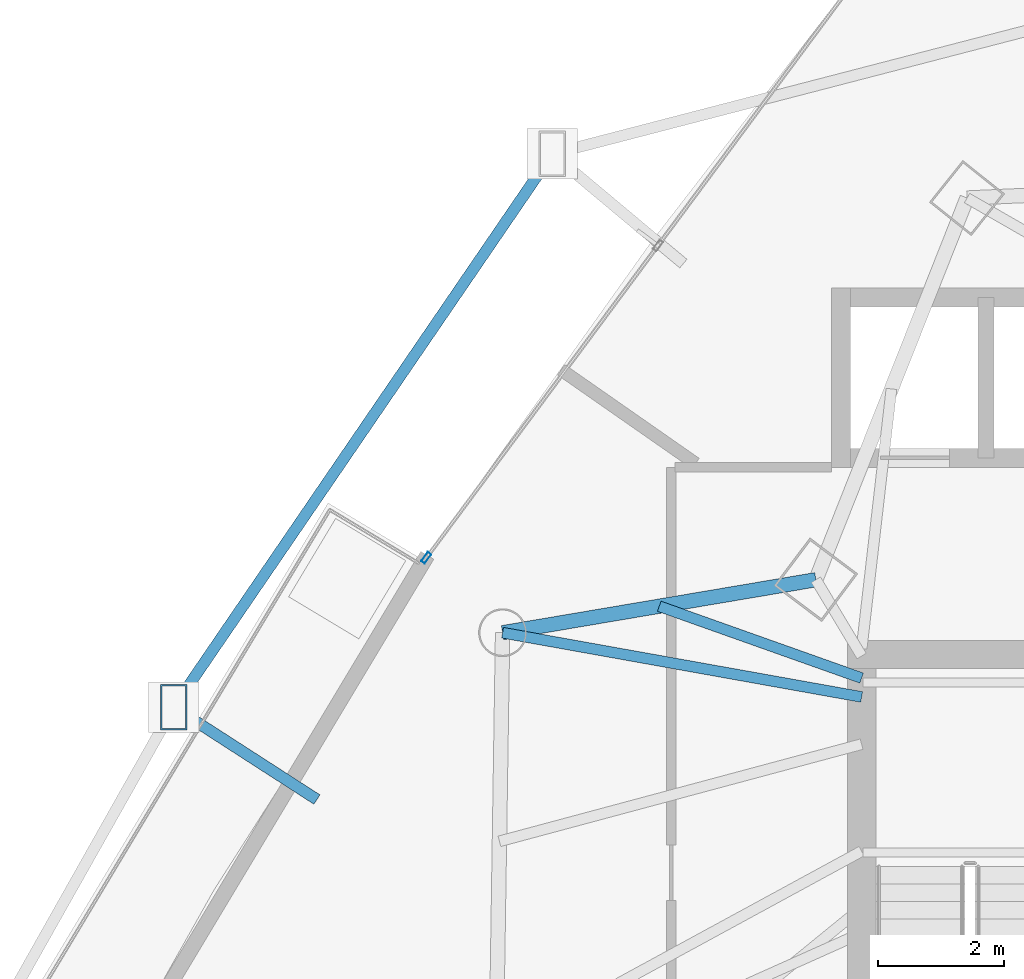
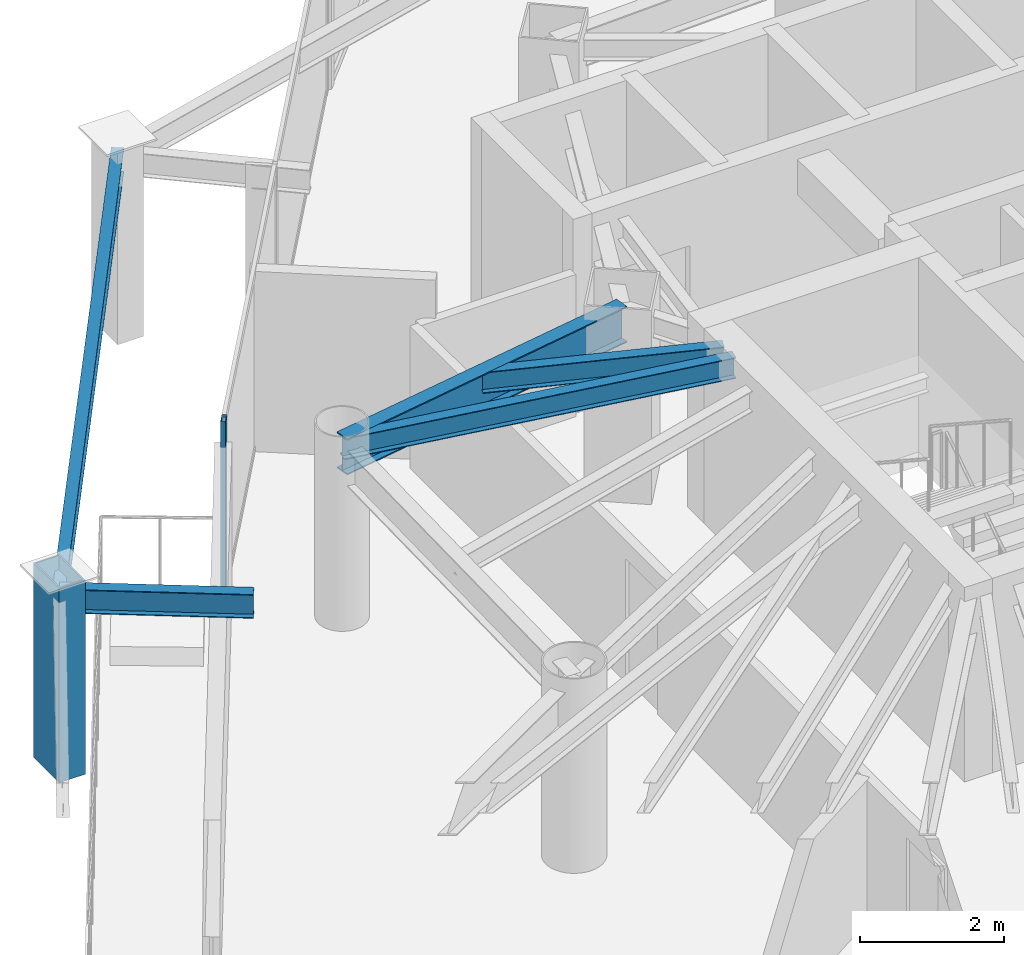
# One storey, part 19 of 33: 5 beams, 2 members, 1 element without a shape of its own.
"""IFC4 building model written with IfcOpenShell, lengths in metres."""

from ifc_helpers import new_model, si_unit, direction, frame, origin, origin_2d, place, context, subcontext, project, spatial, hollow_rectangle, i_section, extrude, material, layer, layer_set, material_profile, profile_set, type_object, element, aggregate, save


model = new_model("IFC4")

# Units and contexts
model_context = context("Model", 3, precision=1e-05, world=origin(), true_north=direction((0.0, 1.0)))
body_context = subcontext(model_context, "Body", "Model", "MODEL_VIEW")
ifc_project = project(units=[si_unit("LENGTHUNIT", "METRE"), si_unit("AREAUNIT", "SQUARE_METRE"), si_unit("VOLUMEUNIT", "CUBIC_METRE"), si_unit("PLANEANGLEUNIT", "RADIAN"), si_unit("MASSUNIT", "GRAM", prefix="KILO")], contexts=[model_context])

# Site, building, storey
site_placement = place(None, origin())
site = spatial("IfcSite", under=ifc_project, at=site_placement, CompositionType="ELEMENT")
building_placement = place(site_placement, origin())
building = spatial("IfcBuilding", under=site, at=building_placement, Name="Orvanel Arch Residences", CompositionType="ELEMENT")
storey_placement = place(building_placement, frame((0.0, 0.0, 70.85009765625)))
storey = spatial("IfcBuildingStorey", under=building, at=storey_placement, Name="L19", CompositionType="ELEMENT", Elevation=70.85009765625)

# Beams
ifc_material_1 = material(Name="Structural steel AS/NZS 3679.1 Grade 300 (300 MPa)", Category="steel")
ifc_material_profile_1 = material_profile(ifc_material_1, i_section(OverallWidth=0.1708984375, OverallDepth=0.35595703125, WebThickness=0.00732421875, FlangeThickness=0.011474609375, at=origin_2d()), Name="360UB50.7")
ifc_profile_set_1 = profile_set([ifc_material_profile_1], Name="Structural steel AS/NZS 3679.1 Grade 300 (300 MPa)")
beam_type_1 = type_object("IfcBeamType", Name="BJ-360UB", PredefinedType="JOIST", material=ifc_profile_set_1)
beam_1_placement = place(storey_placement, frame((26.375, 33.25, 2.8818359375), z_axis=(-0.984360855662, 0.176163860766, 0.0), x_axis=(-0.176163860766, -0.984360855662, 0.0)))
element("IfcBeam", 1, at=beam_1_placement, inside=storey, type_object=beam_type_1, Name="L19 LW Wing Floor Joist", PredefinedType="JOIST", context=body_context, shape_type="SweptSolid", body=[
    extrude(i_section(OverallWidth=0.1708984375, OverallDepth=0.35595703125, WebThickness=0.00732421875, FlangeThickness=0.011474609375, at=origin_2d()), origin(), (0.0, 0.0, 1.0), 5.795654296875),
])
beam_2_placement = place(storey_placement, frame((26.375, 33.550048828125, 2.8818359375), z_axis=(-0.942366638377, 0.334582006201, 0.0), x_axis=(-0.334582006201, -0.942366638377, 0.0)))
element("IfcBeam", 2, at=beam_2_placement, inside=storey, type_object=beam_type_1, Name="L19 JADD3 Wing Floor Joist", PredefinedType="JOIST", context=body_context, shape_type="SweptSolid", body=[
    extrude(i_section(OverallWidth=0.1708984375, OverallDepth=0.35595703125, WebThickness=0.00732421875, FlangeThickness=0.011474609375, at=origin_2d()), origin(), (0.0, 0.0, 1.0), 3.412841796875),
])

# Member
ifc_material_2 = material(Name="Structural steel AS/NZS 3678 Grade 350", Category="steel")
ifc_material_profile_2 = material_profile(ifc_material_2, hollow_rectangle(XDim=0.419921875, YDim=0.719970703125, WallThickness=0.02490234375, at=origin_2d()), Name="RHS720x420x25")
ifc_profile_set_2 = profile_set([ifc_material_profile_2], Name="Structural steel AS/NZS 3678 Grade 350")
member_type_1 = type_object("IfcMemberType", Name="CH-720RHS-EXT", PredefinedType="CHORD", material=ifc_profile_set_2)
member_1_placement = place(storey_placement, frame((15.445068359375, 33.0869140625, 0.0), z_axis=(0.0, 0.0, 1.0), x_axis=(1.0, 0.0, 0.0)))
element("IfcMember", 3, at=member_1_placement, inside=storey, type_object=member_type_1, Name="L19 Outer Perimeter Frame Post 02", PredefinedType="CHORD", context=body_context, shape_type="SweptSolid", body=[
    extrude(hollow_rectangle(XDim=0.419921875, YDim=0.719970703125, WallThickness=0.02490234375, at=origin_2d()), origin(), (0.0, 0.0, 1.0), 3.2998046875),
])

# Curtain wall, member
ifc_material_3 = material(Name="Bronze-anodised aluminium AA6063-T6", Category="aluminium")
ifc_layer = layer(ifc_material_3, 0.179931640625)
ifc_layer_set = layer_set([ifc_layer], Name="Bronze-anodised aluminium AA6063-T6")
curtain_wall_type = type_object("IfcCurtainWallType", Name="CW2-LOW-SYS", PredefinedType="NOTDEFINED", material=ifc_layer_set)
curtain_wall_placement = place(storey_placement, origin())
curtain_wall = element("IfcCurtainWall", 4, at=curtain_wall_placement, inside=storey, type_object=curtain_wall_type, Name="L19 CW2-LOW-SYS Unitised Curtain Wall", PredefinedType="NOTDEFINED")
ifc_material_profile_3 = material_profile(ifc_material_3, hollow_rectangle(XDim=0.070068359375, YDim=0.179931640625, WallThickness=0.00439453125, at=origin_2d()), Name="ALU180x70x4.5")
ifc_profile_set_3 = profile_set([ifc_material_profile_3], Name="Bronze-anodised aluminium AA6063-T6")
member_type_2 = type_object("IfcMemberType", Name="MUL-180x70", PredefinedType="MULLION", material=ifc_profile_set_3)
member_2_placement = place(storey_placement, frame((19.455810546875, 35.461181640625, 0.0), z_axis=(0.0, 0.0, 1.0), x_axis=(0.802983727568, -0.596000950722, 0.0)))
member_2 = element("IfcMember", 5, at=member_2_placement, type_object=member_type_2, Name="CW-S2 mullion 3", PredefinedType="MULLION", context=body_context, shape_type="SweptSolid", body=[
    extrude(hollow_rectangle(XDim=0.070068359375, YDim=0.179931640625, WallThickness=0.00439453125, at=origin_2d()), origin(), (0.0, 0.0, 1.0), 3.059814453125),
])
aggregate(curtain_wall, [member_2])

# Beams
ifc_material_profile_4 = material_profile(ifc_material_1, i_section(OverallWidth=0.177978515625, OverallDepth=0.406005859375, WebThickness=0.0078125, FlangeThickness=0.0126953125, at=origin_2d()), Name="410UB59.7")
ifc_profile_set_4 = profile_set([ifc_material_profile_4], Name="Structural steel AS/NZS 3679.1 Grade 300 (300 MPa)")
beam_type_2 = type_object("IfcBeamType", Name="OB-410UB-EXT", PredefinedType="SPANDREL", material=ifc_profile_set_4)
beam_3_placement = place(storey_placement, frame((21.4580078125, 41.8798828125, 2.85693359375), z_axis=(-0.564472739348, -0.8254517106, 0.0), x_axis=(0.8254517106, -0.564472739348, 0.0)))
element("IfcBeam", 6, at=beam_3_placement, inside=storey, type_object=beam_type_2, Name="L19 Outer Perimeter Floor Ring Beam 01", PredefinedType="SPANDREL", context=body_context, shape_type="SweptSolid", body=[
    extrude(i_section(OverallWidth=0.177978515625, OverallDepth=0.406005859375, WebThickness=0.0078125, FlangeThickness=0.0126953125, at=origin_2d()), origin(), (0.0, 0.0, 1.0), 10.65234375),
])
beam_4_placement = place(storey_placement, frame((17.719970703125, 31.6201171875, 2.85693359375), z_axis=(-0.840445065462, 0.541896753949, 0.0), x_axis=(-0.541896753949, -0.840445065462, 0.0)))
element("IfcBeam", 7, at=beam_4_placement, inside=storey, type_object=beam_type_2, Name="L19 Outer Frame Radial Tie Beam 02", PredefinedType="SPANDREL", context=body_context, shape_type="SweptSolid", body=[
    extrude(i_section(OverallWidth=0.177978515625, OverallDepth=0.406005859375, WebThickness=0.0078125, FlangeThickness=0.0126953125, at=origin_2d()), origin(), (0.0, 0.0, 1.0), 2.706787109375),
])
ifc_material_profile_5 = material_profile(ifc_material_1, i_section(OverallWidth=0.22900390625, OverallDepth=0.612060546875, WebThickness=0.011962890625, FlangeThickness=0.01953125, at=origin_2d()), Name="610UB125")
ifc_profile_set_5 = profile_set([ifc_material_profile_5], Name="Structural steel AS/NZS 3679.1 Grade 300 (300 MPa)")
beam_type_3 = type_object("IfcBeamType", Name="SP-610UB", PredefinedType="SPANDREL", material=ifc_profile_set_5)
beam_5_placement = place(storey_placement, frame((25.64794921875, 35.113037109375, 2.75390625), z_axis=(-0.985993733897, -0.166782363326, 0.0), x_axis=(0.166782363326, -0.985993733897, 0.0)))
element("IfcBeam", 8, at=beam_5_placement, inside=storey, type_object=beam_type_3, Name="L19 Perimeter Spandrel Beam 19", PredefinedType="SPANDREL", context=body_context, shape_type="SweptSolid", body=[
    extrude(i_section(OverallWidth=0.22900390625, OverallDepth=0.612060546875, WebThickness=0.011962890625, FlangeThickness=0.01953125, at=origin_2d()), origin(), (0.0, 0.0, 1.0), 5.048828125),
])

save(model, "model.ifc")
